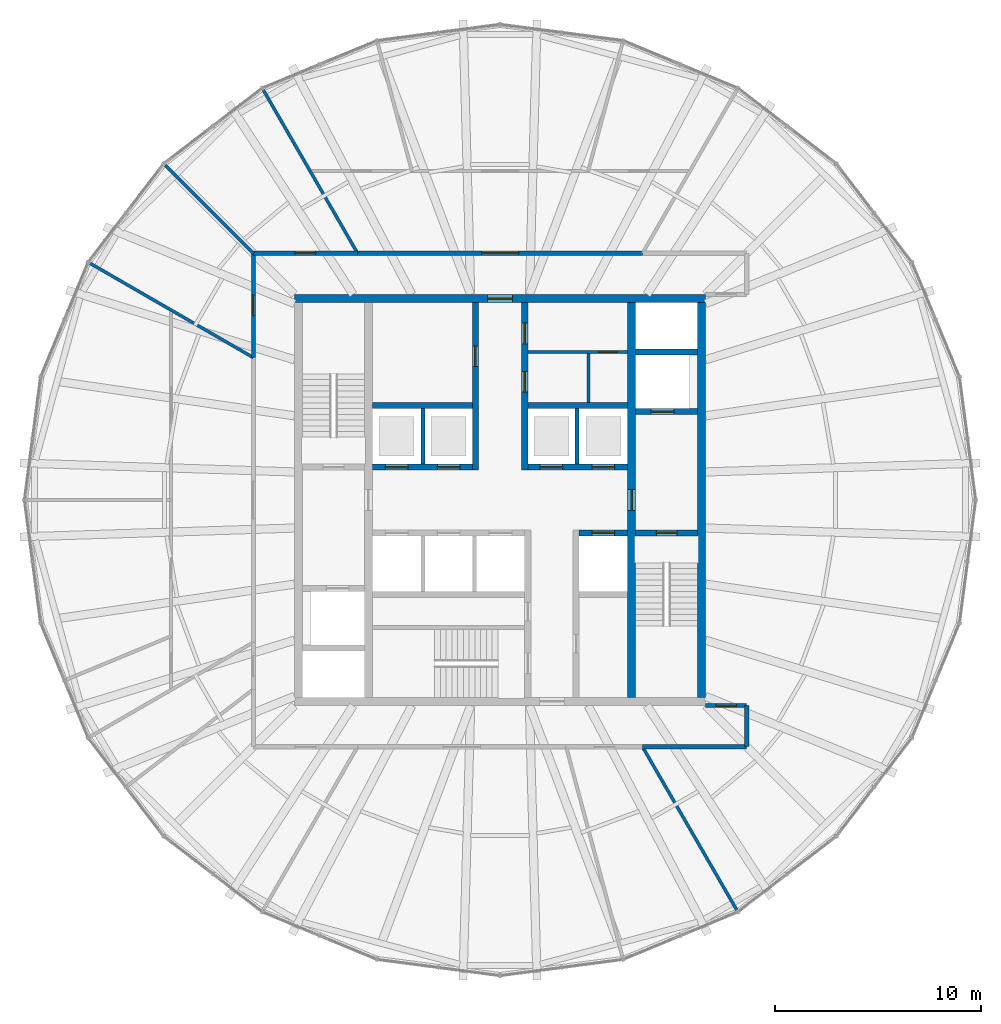
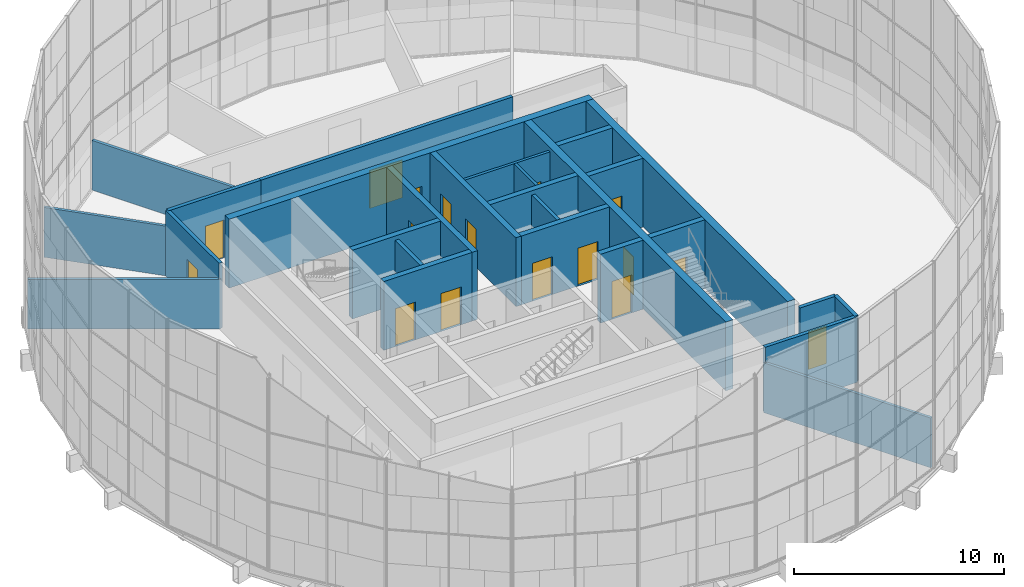
# One storey, part 20 of 23: 27 walls, 17 doors, 17 openings.
"""IFC4 building model written with IfcOpenShell, lengths in metres."""

from ifc_helpers import new_model, si_unit, direction, frame, frame_2d, origin, place, context, subcontext, project, spatial, rectangle, extrude, material, layer, layer_set, type_object, element, fill, save


model = new_model("IFC4")

# Units and contexts
model_context = context("Model", 3, precision=1e-05, world=origin(), true_north=direction((0.0, 1.0)))
body_context = subcontext(model_context, "Body", "Model", "MODEL_VIEW")
ifc_project = project(units=[si_unit("LENGTHUNIT", "METRE"), si_unit("AREAUNIT", "SQUARE_METRE"), si_unit("VOLUMEUNIT", "CUBIC_METRE"), si_unit("PLANEANGLEUNIT", "RADIAN"), si_unit("MASSUNIT", "GRAM", prefix="KILO")], contexts=[model_context])

# Site, building, storey
site_placement = place(None, origin())
site = spatial("IfcSite", under=ifc_project, at=site_placement, CompositionType="ELEMENT")
building_placement = place(site_placement, origin())
building = spatial("IfcBuilding", under=site, at=building_placement, Name="Golbaran Civic Tower", CompositionType="ELEMENT")
storey_placement = place(building_placement, frame((0.0, 0.0, 220.0)))
storey = spatial("IfcBuildingStorey", under=building, at=storey_placement, Name="L53", CompositionType="ELEMENT", Elevation=220.0)

# Wall, opening, door
ifc_material_1 = material(Name="Concrete block", Category="concrete")
ifc_layer_1 = layer(ifc_material_1, 0.14990234375, Name="Concrete block")
ifc_layer_set_1 = layer_set([ifc_layer_1], Name="Concrete block")
wall_type_1 = type_object("IfcWallType", Name="BLOCKWORK PARTITION 150", PredefinedType="PARTITIONING", material=ifc_layer_set_1)
wall_1_placement = place(storey_placement, frame((1.35009765625, 7.199951171875, 0.0), z_axis=(0.0, 0.0, 1.0), x_axis=(1.0, 0.0, 0.0)))
wall_1 = element("IfcWall", 1, at=wall_1_placement, inside=storey, type_object=wall_type_1, Name="Toilet block partition TN1 L53", PredefinedType="PARTITIONING", context=body_context, shape_type="SweptSolid", body=[
    extrude(rectangle(XDim=4.849853515625, YDim=0.14990234375, at=frame_2d((2.4248046875, 0.0))), origin(), (0.0, 0.0, 1.0), 3.75),
])
opening_1_placement = place(wall_1_placement, frame((3.449951171875, 0.0, 0.0)))
opening_1 = element("IfcOpeningElement", 2, at=opening_1_placement, cuts=wall_1, Name="Opening L53.CLN", PredefinedType="OPENING", context=body_context, shape_type="SweptSolid", body=[
    extrude(rectangle(XDim=0.89990234375, YDim=2.199951171875, at=frame_2d((0.449951171875, 1.10009765625))), frame((0.0, 0.0849609375, 0.0), z_axis=(0.0, -1.0, 0.0), x_axis=(1.0, 0.0, 0.0)), (0.0, 0.0, 1.0), 0.169921875),
])
ifc_material_2 = material(Name="Timber door set in steel frame", Category="steel")
door_type_1 = type_object("IfcDoorType", Name="RISER DOOR 900x2200", OperationType="SINGLE_SWING_LEFT", PredefinedType="DOOR", material=ifc_material_2)
door_1_placement = place(opening_1_placement, origin())
door_1 = element("IfcDoor", 3, at=door_1_placement, inside=storey, type_object=door_type_1, Name="Housekeeping Store door", OperationType="SINGLE_SWING_RIGHT", OverallHeight=2.199951171875, OverallWidth=0.89990234375, PredefinedType="DOOR", context=body_context, shape_type="SweptSolid", body=[
    extrude(rectangle(XDim=0.89990234375, YDim=2.199951171875, at=frame_2d((0.449951171875, 1.10009765625))), frame((0.0, 0.02490234375, 0.0), z_axis=(0.0, -1.0, 0.0), x_axis=(1.0, 0.0, 0.0)), (0.0, 0.0, 1.0), 0.050048828125),
])
fill(opening_1, door_1)

# Wall
wall_2_placement = place(storey_placement, frame((4.300048828125, 4.75, 0.0), z_axis=(0.0, 0.0, 1.0), x_axis=(0.0, 1.0, 0.0)))
element("IfcWall", 4, at=wall_2_placement, inside=storey, type_object=wall_type_1, Name="Toilet block partition TN2 L53", PredefinedType="PARTITIONING", context=body_context, shape_type="SweptSolid", body=[
    extrude(rectangle(XDim=2.375, YDim=0.14990234375, at=frame_2d((1.1875, 0.0))), origin(), (0.0, 0.0, 1.0), 3.75),
])

# Wall, opening, door
ifc_material_3 = material(Name="Concrete C50/60", Category="concrete")
ifc_layer_2 = layer(ifc_material_3, 0.39990234375, Name="Concrete C50/60")
ifc_layer_set_2 = layer_set([ifc_layer_2], Name="Concrete C50/60")
wall_type_2 = type_object("IfcWallType", Name="CORE WALL CONCRETE 400", PredefinedType="SOLIDWALL", material=ifc_layer_set_2)
wall_3_placement = place(storey_placement, frame((-10.0, 9.800048828125, 0.0), z_axis=(0.0, 0.0, 1.0), x_axis=(1.0, 0.0, 0.0)))
wall_3 = element("IfcWall", 5, at=wall_3_placement, inside=storey, type_object=wall_type_2, Name="Core wall CN L53", PredefinedType="SOLIDWALL", context=body_context, shape_type="SweptSolid", body=[
    extrude(rectangle(XDim=20.0, YDim=0.39990234375, at=frame_2d((10.0, 0.0))), origin(), (0.0, 0.0, 1.0), 4.0),
])
opening_2_placement = place(wall_3_placement, frame((9.39990234375, 0.0, 0.0)))
opening_2 = element("IfcOpeningElement", 6, at=opening_2_placement, cuts=wall_3, Name="Opening L53.CN", PredefinedType="OPENING", context=body_context, shape_type="SweptSolid", body=[
    extrude(rectangle(XDim=1.199951171875, YDim=2.199951171875, at=frame_2d((0.60009765625, 1.10009765625))), frame((0.0, 0.2099609375, 0.0), z_axis=(0.0, -1.0, 0.0), x_axis=(1.0, 0.0, 0.0)), (0.0, 0.0, 1.0), 0.419921875),
])
door_type_2 = type_object("IfcDoorType", Name="CORE DOOR 1200x2200", OperationType="DOUBLE_DOOR_SINGLE_SWING", PredefinedType="DOOR", material=ifc_material_2)
door_2_placement = place(opening_2_placement, origin())
door_2 = element("IfcDoor", 7, at=door_2_placement, inside=storey, type_object=door_type_2, Name="Core door north", OperationType="DOUBLE_DOOR_SINGLE_SWING", OverallHeight=2.199951171875, OverallWidth=1.199951171875, PredefinedType="DOOR", context=body_context, shape_type="SweptSolid", body=[
    extrude(rectangle(XDim=1.199951171875, YDim=2.199951171875, at=frame_2d((0.60009765625, 1.10009765625))), frame((0.0, 0.02490234375, 0.0), z_axis=(0.0, -1.0, 0.0), x_axis=(1.0, 0.0, 0.0)), (0.0, 0.0, 1.0), 0.050048828125),
])
fill(opening_2, door_2)

# Wall
wall_4_placement = place(storey_placement, frame((9.800048828125, -9.60009765625, 0.0), z_axis=(0.0, 0.0, 1.0), x_axis=(0.0, 1.0, 0.0)))
element("IfcWall", 8, at=wall_4_placement, inside=storey, type_object=wall_type_2, Name="Core wall CE L53", PredefinedType="SOLIDWALL", context=body_context, shape_type="SweptSolid", body=[
    extrude(rectangle(XDim=19.2001953125, YDim=0.39990234375, at=frame_2d((9.60009765625, 0.0))), origin(), (0.0, 0.0, 1.0), 4.0),
])

# Wall, opening, door
wall_5_placement = place(storey_placement, frame((6.39990234375, 9.60009765625, 0.0), z_axis=(0.0, 0.0, 1.0), x_axis=(0.0, -1.0, 0.0)))
wall_5 = element("IfcWall", 9, at=wall_5_placement, inside=storey, type_object=wall_type_2, Name="Core wall IE L53", PredefinedType="SOLIDWALL", context=body_context, shape_type="SweptSolid", body=[
    extrude(rectangle(XDim=19.2001953125, YDim=0.39990234375, at=frame_2d((9.60009765625, 0.0))), origin(), (0.0, 0.0, 1.0), 4.0),
])
opening_3_placement = place(wall_5_placement, frame((9.10009765625, 0.0, 0.0)))
opening_3 = element("IfcOpeningElement", 10, at=opening_3_placement, cuts=wall_5, Name="Opening L53.FL2", PredefinedType="OPENING", context=body_context, shape_type="SweptSolid", body=[
    extrude(rectangle(XDim=1.0, YDim=2.199951171875, at=frame_2d((0.5, 1.10009765625))), frame((0.0, 0.2099609375, 0.0), z_axis=(0.0, -1.0, 0.0), x_axis=(1.0, 0.0, 0.0)), (0.0, 0.0, 1.0), 0.419921875),
])
door_type_3 = type_object("IfcDoorType", Name="STAIR DOOR 1000x2200", OperationType="SINGLE_SWING_LEFT", PredefinedType="DOOR", material=ifc_material_2)
door_3_placement = place(opening_3_placement, origin())
door_3 = element("IfcDoor", 11, at=door_3_placement, inside=storey, type_object=door_type_3, Name="Fire-fighting lobby FL2 door", OperationType="SINGLE_SWING_RIGHT", OverallHeight=2.199951171875, OverallWidth=1.0, PredefinedType="DOOR", context=body_context, shape_type="SweptSolid", body=[
    extrude(rectangle(XDim=1.0, YDim=2.199951171875, at=frame_2d((0.5, 1.10009765625))), frame((0.0, 0.02490234375, 0.0), z_axis=(0.0, -1.0, 0.0), x_axis=(1.0, 0.0, 0.0)), (0.0, 0.0, 1.0), 0.050048828125),
])
fill(opening_3, door_3)

ifc_material_4 = material(Name="Gypsum board on steel studs, fire-rated", Category="steel")
ifc_layer_3 = layer(ifc_material_4, 0.199951171875, Name="Gypsum board on steel studs, fire-rated")
ifc_layer_set_3 = layer_set([ifc_layer_3], Name="Gypsum board on steel studs, fire-rated")
wall_type_3 = type_object("IfcWallType", Name="CORRIDOR WALL 200", PredefinedType="PARTITIONING", material=ifc_layer_set_3)
wall_6_placement = place(storey_placement, frame((6.92822265625, 12.0, 0.0), z_axis=(0.0, 0.0, 1.0), x_axis=(-1.0, 0.0, 0.0)))
wall_6 = element("IfcWall", 12, at=wall_6_placement, inside=storey, type_object=wall_type_3, Name="Corridor wall L53", PredefinedType="PARTITIONING", context=body_context, shape_type="SweptSolid", body=[
    extrude(rectangle(XDim=13.8564453125, YDim=0.199951171875, at=frame_2d((6.92822265625, 0.0))), origin(), (0.0, 0.0, 1.0), 3.800048828125),
])
opening_4_placement = place(wall_6_placement, frame((6.0283203125, 0.0, 0.0)))
opening_4 = element("IfcOpeningElement", 13, at=opening_4_placement, cuts=wall_6, Name="Opening L53.07", PredefinedType="OPENING", context=body_context, shape_type="SweptSolid", body=[
    extrude(rectangle(XDim=1.800048828125, YDim=2.199951171875, at=frame_2d((0.89990234375, 1.10009765625))), frame((0.0, 0.10986328125, 0.0), z_axis=(0.0, -1.0, 0.0), x_axis=(1.0, 0.0, 0.0)), (0.0, 0.0, 1.0), 0.219970703125),
])
door_type_4 = type_object("IfcDoorType", Name="OFFICE DOUBLE DOOR 1800x2200", OperationType="DOUBLE_DOOR_SINGLE_SWING", PredefinedType="DOOR", material=ifc_material_2)
door_4_placement = place(opening_4_placement, origin())
door_4 = element("IfcDoor", 14, at=door_4_placement, inside=storey, type_object=door_type_4, Name="Reception door L53", OperationType="DOUBLE_DOOR_SINGLE_SWING", OverallHeight=2.199951171875, OverallWidth=1.800048828125, PredefinedType="DOOR", context=body_context, shape_type="SweptSolid", body=[
    extrude(rectangle(XDim=1.800048828125, YDim=2.199951171875, at=frame_2d((0.89990234375, 1.10009765625))), frame((0.0, 0.02490234375, 0.0), z_axis=(0.0, -1.0, 0.0), x_axis=(1.0, 0.0, 0.0)), (0.0, 0.0, 1.0), 0.050048828125),
])
fill(opening_4, door_4)

wall_7_placement = place(storey_placement, frame((-6.92822265625, 12.0, 0.0), z_axis=(0.0, 0.0, 1.0), x_axis=(-1.0, 0.0, 0.0)))
wall_7 = element("IfcWall", 15, at=wall_7_placement, inside=storey, type_object=wall_type_3, Name="Corridor wall L53", PredefinedType="PARTITIONING", context=body_context, shape_type="SweptSolid", body=[
    extrude(rectangle(XDim=5.07177734375, YDim=0.199951171875, at=frame_2d((2.535888671875, 0.0))), origin(), (0.0, 0.0, 1.0), 3.800048828125),
])
opening_5_placement = place(wall_7_placement, frame((2.035888671875, 0.0, 0.0)))
opening_5 = element("IfcOpeningElement", 16, at=opening_5_placement, cuts=wall_7, Name="Opening L53.08", PredefinedType="OPENING", context=body_context, shape_type="SweptSolid", body=[
    extrude(rectangle(XDim=1.0, YDim=2.199951171875, at=frame_2d((0.5, 1.10009765625))), frame((0.0, 0.10986328125, 0.0), z_axis=(0.0, -1.0, 0.0), x_axis=(1.0, 0.0, 0.0)), (0.0, 0.0, 1.0), 0.219970703125),
])
door_type_5 = type_object("IfcDoorType", Name="OFFICE DOOR 1000x2200", OperationType="SINGLE_SWING_LEFT", PredefinedType="DOOR", material=ifc_material_2)
door_5_placement = place(opening_5_placement, origin())
door_5 = element("IfcDoor", 17, at=door_5_placement, inside=storey, type_object=door_type_5, Name="Interview Room door L53", OperationType="SINGLE_SWING_RIGHT", OverallHeight=2.199951171875, OverallWidth=1.0, PredefinedType="DOOR", context=body_context, shape_type="SweptSolid", body=[
    extrude(rectangle(XDim=1.0, YDim=2.199951171875, at=frame_2d((0.5, 1.10009765625))), frame((0.0, 0.02490234375, 0.0), z_axis=(0.0, -1.0, 0.0), x_axis=(1.0, 0.0, 0.0)), (0.0, 0.0, 1.0), 0.050048828125),
])
fill(opening_5, door_5)

wall_8_placement = place(storey_placement, frame((-12.0, 12.0, 0.0), z_axis=(0.0, 0.0, 1.0), x_axis=(0.0, -1.0, 0.0)))
wall_8 = element("IfcWall", 18, at=wall_8_placement, inside=storey, type_object=wall_type_3, Name="Corridor wall L53", PredefinedType="PARTITIONING", context=body_context, shape_type="SweptSolid", body=[
    extrude(rectangle(XDim=5.07177734375, YDim=0.199951171875, at=frame_2d((2.535888671875, 0.0))), origin(), (0.0, 0.0, 1.0), 3.800048828125),
])
opening_6_placement = place(wall_8_placement, frame((2.035888671875, 0.0, 0.0)))
opening_6 = element("IfcOpeningElement", 19, at=opening_6_placement, cuts=wall_8, Name="Opening L53.09", PredefinedType="OPENING", context=body_context, shape_type="SweptSolid", body=[
    extrude(rectangle(XDim=1.0, YDim=2.199951171875, at=frame_2d((0.5, 1.10009765625))), frame((0.0, 0.10986328125, 0.0), z_axis=(0.0, -1.0, 0.0), x_axis=(1.0, 0.0, 0.0)), (0.0, 0.0, 1.0), 0.219970703125),
])
door_6_placement = place(opening_6_placement, origin())
door_6 = element("IfcDoor", 20, at=door_6_placement, inside=storey, type_object=door_type_5, Name="Print and Copy Room door L53", OperationType="SINGLE_SWING_RIGHT", OverallHeight=2.199951171875, OverallWidth=1.0, PredefinedType="DOOR", context=body_context, shape_type="SweptSolid", body=[
    extrude(rectangle(XDim=1.0, YDim=2.199951171875, at=frame_2d((0.5, 1.10009765625))), frame((0.0, 0.02490234375, 0.0), z_axis=(0.0, -1.0, 0.0), x_axis=(1.0, 0.0, 0.0)), (0.0, 0.0, 1.0), 0.050048828125),
])
fill(opening_6, door_6)

# Walls
wall_9_placement = place(storey_placement, frame((6.92822265625, -12.0, 0.0), z_axis=(0.0, 0.0, 1.0), x_axis=(1.0, 0.0, 0.0)))
element("IfcWall", 21, at=wall_9_placement, inside=storey, type_object=wall_type_3, Name="Corridor wall L53", PredefinedType="PARTITIONING", context=body_context, shape_type="SweptSolid", body=[
    extrude(rectangle(XDim=5.07177734375, YDim=0.199951171875, at=frame_2d((2.535888671875, 0.0))), origin(), (0.0, 0.0, 1.0), 3.800048828125),
])
wall_10_placement = place(storey_placement, frame((12.0, -12.0, 0.0), z_axis=(0.0, 0.0, 1.0), x_axis=(0.0, 1.0, 0.0)))
element("IfcWall", 22, at=wall_10_placement, inside=storey, type_object=wall_type_3, Name="Corridor wall L53", PredefinedType="PARTITIONING", context=body_context, shape_type="SweptSolid", body=[
    extrude(rectangle(XDim=2.0, YDim=0.199951171875, at=frame_2d((1.0, 0.0))), origin(), (0.0, 0.0, 1.0), 3.800048828125),
])

# Wall, opening, door
wall_11_placement = place(storey_placement, frame((10.0, -10.0, 0.0), z_axis=(0.0, 0.0, 1.0), x_axis=(1.0, 0.0, 0.0)))
wall_11 = element("IfcWall", 23, at=wall_11_placement, inside=storey, type_object=wall_type_3, Name="Corridor end wall L53", PredefinedType="PARTITIONING", context=body_context, shape_type="SweptSolid", body=[
    extrude(rectangle(XDim=2.0, YDim=0.199951171875, at=frame_2d((1.0, 0.0))), origin(), (0.0, 0.0, 1.0), 3.800048828125),
])
opening_7_placement = place(wall_11_placement, frame((0.5, 0.0, 0.0)))
opening_7 = element("IfcOpeningElement", 24, at=opening_7_placement, cuts=wall_11, Name="Opening L53.16", PredefinedType="OPENING", context=body_context, shape_type="SweptSolid", body=[
    extrude(rectangle(XDim=1.0, YDim=2.199951171875, at=frame_2d((0.5, 1.10009765625))), frame((0.0, 0.10986328125, 0.0), z_axis=(0.0, -1.0, 0.0), x_axis=(1.0, 0.0, 0.0)), (0.0, 0.0, 1.0), 0.219970703125),
])
door_7_placement = place(opening_7_placement, origin())
door_7 = element("IfcDoor", 25, at=door_7_placement, inside=storey, type_object=door_type_5, Name="Open Office door L53", OperationType="SINGLE_SWING_LEFT", OverallHeight=2.199951171875, OverallWidth=1.0, PredefinedType="DOOR", context=body_context, shape_type="SweptSolid", body=[
    extrude(rectangle(XDim=1.0, YDim=2.199951171875, at=frame_2d((0.5, 1.10009765625))), frame((0.0, 0.02490234375, 0.0), z_axis=(0.0, -1.0, 0.0), x_axis=(1.0, 0.0, 0.0)), (0.0, 0.0, 1.0), 0.050048828125),
])
fill(opening_7, door_7)

# Walls
ifc_layer_4 = layer(ifc_material_1, 0.199951171875, Name="Concrete block")
ifc_layer_set_4 = layer_set([ifc_layer_4], Name="Concrete block")
wall_type_4 = type_object("IfcWallType", Name="LIFT SEPARATOR WALL 200", PredefinedType="SOLIDWALL", material=ifc_layer_set_4)
for number, where, z_axis, x_axis, name in (
    (26, (-3.75, 1.75, 0.0), (0.0, 0.0, 1.0), (0.0, 1.0, 0.0), "Core partition SNW L53"),
    (27, (3.75, 1.75, 0.0), (0.0, 0.0, 1.0), (0.0, 1.0, 0.0), "Core partition SNE L53"),
):
    element("IfcWall", number, at=place(storey_placement, frame(where, z_axis=z_axis, x_axis=x_axis)), inside=storey, type_object=wall_type_4, Name=name, PredefinedType="SOLIDWALL", context=body_context, shape_type="SweptSolid", body=[
        extrude(rectangle(XDim=2.699951171875, YDim=0.199951171875, at=frame_2d((1.35009765625, 0.0))), origin(), (0.0, 0.0, 1.0), 3.75),
    ])
ifc_material_5 = material(Name="Gypsum board on steel studs", Category="steel")
ifc_layer_5 = layer(ifc_material_5, 0.14990234375, Name="Gypsum board on steel studs")
ifc_layer_set_5 = layer_set([ifc_layer_5], Name="Gypsum board on steel studs")
wall_type_5 = type_object("IfcWallType", Name="OFFICE PARTITION 150", PredefinedType="PARTITIONING", material=ifc_layer_set_5)
wall_12_placement = place(storey_placement, frame((-6.92822265625, 12.0, 0.0), z_axis=(0.0, 0.0, 1.0), x_axis=(-0.500006167237, 0.866021843099, 0.0)))
element("IfcWall", 28, at=wall_12_placement, inside=storey, type_object=wall_type_5, Name="Partition 120 L53", PredefinedType="PARTITIONING", context=body_context, shape_type="SweptSolid", body=[
    extrude(rectangle(XDim=9.18701171875, YDim=0.14990234375, at=frame_2d((4.593505859375, 0.0))), origin(), (0.0, 0.0, 1.0), 2.889892578125),
])
wall_13_placement = place(storey_placement, frame((-12.0, 12.0, 0.0), z_axis=(0.0, 0.0, 1.0), x_axis=(-0.707106781187, 0.707106781187, 0.0)))
element("IfcWall", 29, at=wall_13_placement, inside=storey, type_object=wall_type_5, Name="Partition 135 L53", PredefinedType="PARTITIONING", context=body_context, shape_type="SweptSolid", body=[
    extrude(rectangle(XDim=6.072509765625, YDim=0.14990234375, at=frame_2d((3.0361328125, 0.0))), origin(), (0.0, 0.0, 1.0), 2.889892578125),
])
for number, where, z_axis, x_axis, name in (
    (30, (-12.0, 6.92822265625, 0.0), (0.0, 0.0, 1.0), (-0.866021843099, 0.500006167237, 0.0), "Partition 150 L53"),
    (31, (6.92822265625, -12.0, 0.0), (0.0, 0.0, 1.0), (0.500006167237, -0.866021843099, 0.0), "Partition 300 L53"),
):
    element("IfcWall", number, at=place(storey_placement, frame(where, z_axis=z_axis, x_axis=x_axis)), inside=storey, type_object=wall_type_5, Name=name, PredefinedType="PARTITIONING", context=body_context, shape_type="SweptSolid", body=[
        extrude(rectangle(XDim=9.18701171875, YDim=0.14990234375, at=frame_2d((4.593505859375, 0.0))), origin(), (0.0, 0.0, 1.0), 2.889892578125),
    ])

# Wall, openings, doors
ifc_layer_6 = layer(ifc_material_3, 0.300048828125, Name="Concrete C50/60")
ifc_layer_set_6 = layer_set([ifc_layer_6], Name="Concrete C50/60")
wall_type_6 = type_object("IfcWallType", Name="SHAFT WALL CONCRETE 300", PredefinedType="SOLIDWALL", material=ifc_layer_set_6)
wall_14_placement = place(storey_placement, frame((-6.199951171875, 1.60009765625, 0.0), z_axis=(0.0, 0.0, 1.0), x_axis=(1.0, 0.0, 0.0)))
wall_14 = element("IfcWall", 32, at=wall_14_placement, inside=storey, type_object=wall_type_6, Name="Core wall FNW L53", PredefinedType="SOLIDWALL", context=body_context, shape_type="SweptSolid", body=[
    extrude(rectangle(XDim=4.849853515625, YDim=0.300048828125, at=frame_2d((2.4248046875, 0.0))), origin(), (0.0, 0.0, 1.0), 4.0),
])
opening_8_placement = place(wall_14_placement, frame((0.625, 0.0, 0.0)))
opening_8 = element("IfcOpeningElement", 33, at=opening_8_placement, cuts=wall_14, Name="Opening L53.LD-Z1T", PredefinedType="OPENING", context=body_context, shape_type="SweptSolid", body=[
    extrude(rectangle(XDim=1.10009765625, YDim=2.199951171875, at=frame_2d((0.550048828125, 1.10009765625))), frame((0.0, 0.159912109375, 0.0), z_axis=(0.0, -1.0, 0.0), x_axis=(1.0, 0.0, 0.0)), (0.0, 0.0, 1.0), 0.320068359375),
])
opening_9_placement = place(wall_14_placement, frame((3.14990234375, 0.0, 0.0)))
opening_9 = element("IfcOpeningElement", 34, at=opening_9_placement, cuts=wall_14, Name="Opening L53.LD-Z2T", PredefinedType="OPENING", context=body_context, shape_type="SweptSolid", body=[
    extrude(rectangle(XDim=1.10009765625, YDim=2.199951171875, at=frame_2d((0.550048828125, 1.10009765625))), frame((0.0, 0.159912109375, 0.0), z_axis=(0.0, -1.0, 0.0), x_axis=(1.0, 0.0, 0.0)), (0.0, 0.0, 1.0), 0.320068359375),
])
ifc_material_6 = material(Name="Stainless steel", Category="steel")
door_type_6 = type_object("IfcDoorType", Name="LIFT LANDING DOOR 1100x2200", OperationType="SLIDING_TO_LEFT", PredefinedType="DOOR", material=ifc_material_6)
door_8_placement = place(opening_8_placement, origin())
door_8 = element("IfcDoor", 35, at=door_8_placement, inside=storey, type_object=door_type_6, Name="Lift landing door Z1T", OperationType="SLIDING_TO_LEFT", OverallHeight=2.199951171875, OverallWidth=1.10009765625, PredefinedType="DOOR", context=body_context, shape_type="SweptSolid", body=[
    extrude(rectangle(XDim=1.10009765625, YDim=2.199951171875, at=frame_2d((0.550048828125, 1.10009765625))), frame((0.0, 0.02490234375, 0.0), z_axis=(0.0, -1.0, 0.0), x_axis=(1.0, 0.0, 0.0)), (0.0, 0.0, 1.0), 0.050048828125),
])
fill(opening_8, door_8)
door_9_placement = place(opening_9_placement, origin())
door_9 = element("IfcDoor", 36, at=door_9_placement, inside=storey, type_object=door_type_6, Name="Lift landing door Z2T", OperationType="SLIDING_TO_LEFT", OverallHeight=2.199951171875, OverallWidth=1.10009765625, PredefinedType="DOOR", context=body_context, shape_type="SweptSolid", body=[
    extrude(rectangle(XDim=1.10009765625, YDim=2.199951171875, at=frame_2d((0.550048828125, 1.10009765625))), frame((0.0, 0.02490234375, 0.0), z_axis=(0.0, -1.0, 0.0), x_axis=(1.0, 0.0, 0.0)), (0.0, 0.0, 1.0), 0.050048828125),
])
fill(opening_9, door_9)

wall_15_placement = place(storey_placement, frame((1.35009765625, 1.60009765625, 0.0), z_axis=(0.0, 0.0, 1.0), x_axis=(1.0, 0.0, 0.0)))
wall_15 = element("IfcWall", 37, at=wall_15_placement, inside=storey, type_object=wall_type_6, Name="Core wall FNE L53", PredefinedType="SOLIDWALL", context=body_context, shape_type="SweptSolid", body=[
    extrude(rectangle(XDim=4.849853515625, YDim=0.300048828125, at=frame_2d((2.4248046875, 0.0))), origin(), (0.0, 0.0, 1.0), 4.0),
])
opening_10_placement = place(wall_15_placement, frame((0.60009765625, 0.0, 0.0)))
opening_10 = element("IfcOpeningElement", 38, at=opening_10_placement, cuts=wall_15, Name="Opening L53.LD-Z3T", PredefinedType="OPENING", context=body_context, shape_type="SweptSolid", body=[
    extrude(rectangle(XDim=1.10009765625, YDim=2.199951171875, at=frame_2d((0.550048828125, 1.10009765625))), frame((0.0, 0.159912109375, 0.0), z_axis=(0.0, -1.0, 0.0), x_axis=(1.0, 0.0, 0.0)), (0.0, 0.0, 1.0), 0.320068359375),
])
opening_11_placement = place(wall_15_placement, frame((3.125, 0.0, 0.0)))
opening_11 = element("IfcOpeningElement", 39, at=opening_11_placement, cuts=wall_15, Name="Opening L53.LD-Z4T", PredefinedType="OPENING", context=body_context, shape_type="SweptSolid", body=[
    extrude(rectangle(XDim=1.10009765625, YDim=2.199951171875, at=frame_2d((0.550048828125, 1.10009765625))), frame((0.0, 0.159912109375, 0.0), z_axis=(0.0, -1.0, 0.0), x_axis=(1.0, 0.0, 0.0)), (0.0, 0.0, 1.0), 0.320068359375),
])
door_10_placement = place(opening_10_placement, origin())
door_10 = element("IfcDoor", 40, at=door_10_placement, inside=storey, type_object=door_type_6, Name="Lift landing door Z3T", OperationType="SLIDING_TO_LEFT", OverallHeight=2.199951171875, OverallWidth=1.10009765625, PredefinedType="DOOR", context=body_context, shape_type="SweptSolid", body=[
    extrude(rectangle(XDim=1.10009765625, YDim=2.199951171875, at=frame_2d((0.550048828125, 1.10009765625))), frame((0.0, 0.02490234375, 0.0), z_axis=(0.0, -1.0, 0.0), x_axis=(1.0, 0.0, 0.0)), (0.0, 0.0, 1.0), 0.050048828125),
])
fill(opening_10, door_10)
door_11_placement = place(opening_11_placement, origin())
door_11 = element("IfcDoor", 41, at=door_11_placement, inside=storey, type_object=door_type_6, Name="Lift landing door Z4T", OperationType="SLIDING_TO_LEFT", OverallHeight=2.199951171875, OverallWidth=1.10009765625, PredefinedType="DOOR", context=body_context, shape_type="SweptSolid", body=[
    extrude(rectangle(XDim=1.10009765625, YDim=2.199951171875, at=frame_2d((0.550048828125, 1.10009765625))), frame((0.0, 0.02490234375, 0.0), z_axis=(0.0, -1.0, 0.0), x_axis=(1.0, 0.0, 0.0)), (0.0, 0.0, 1.0), 0.050048828125),
])
fill(opening_11, door_11)

# Walls
for number, where, z_axis, x_axis, name in (
    (42, (-6.199951171875, 4.60009765625, 0.0), (0.0, 0.0, 1.0), (1.0, 0.0, 0.0), "Core wall BNW L53"),
    (43, (1.35009765625, 4.60009765625, 0.0), (0.0, 0.0, 1.0), (1.0, 0.0, 0.0), "Core wall BNE L53"),
):
    element("IfcWall", number, at=place(storey_placement, frame(where, z_axis=z_axis, x_axis=x_axis)), inside=storey, type_object=wall_type_6, Name=name, PredefinedType="SOLIDWALL", context=body_context, shape_type="SweptSolid", body=[
        extrude(rectangle(XDim=4.849853515625, YDim=0.300048828125, at=frame_2d((2.4248046875, 0.0))), origin(), (0.0, 0.0, 1.0), 4.0),
    ])

# Wall, opening, door
wall_16_placement = place(storey_placement, frame((-1.199951171875, 1.449951171875, 0.0), z_axis=(0.0, 0.0, 1.0), x_axis=(0.0, 1.0, 0.0)))
wall_16 = element("IfcWall", 44, at=wall_16_placement, inside=storey, type_object=wall_type_6, Name="Core wall PNW L53", PredefinedType="SOLIDWALL", context=body_context, shape_type="SweptSolid", body=[
    extrude(rectangle(XDim=8.150146484375, YDim=0.300048828125, at=frame_2d((4.0751953125, 0.0))), origin(), (0.0, 0.0, 1.0), 4.0),
])
opening_12_placement = place(wall_16_placement, frame((5.050048828125, 0.0, 0.0)))
opening_12 = element("IfcOpeningElement", 45, at=opening_12_placement, cuts=wall_16, Name="Opening L53.WCM", PredefinedType="OPENING", context=body_context, shape_type="SweptSolid", body=[
    extrude(rectangle(XDim=1.0, YDim=2.199951171875, at=frame_2d((0.5, 1.10009765625))), frame((0.0, 0.159912109375, 0.0), z_axis=(0.0, -1.0, 0.0), x_axis=(1.0, 0.0, 0.0)), (0.0, 0.0, 1.0), 0.320068359375),
])
door_type_7 = type_object("IfcDoorType", Name="TOILET DOOR 1000x2200", OperationType="SINGLE_SWING_LEFT", PredefinedType="DOOR", material=ifc_material_2)
door_12_placement = place(opening_12_placement, origin())
door_12 = element("IfcDoor", 46, at=door_12_placement, inside=storey, type_object=door_type_7, Name="North-west toilet block door", OperationType="SINGLE_SWING_RIGHT", OverallHeight=2.199951171875, OverallWidth=1.0, PredefinedType="DOOR", context=body_context, shape_type="SweptSolid", body=[
    extrude(rectangle(XDim=1.0, YDim=2.199951171875, at=frame_2d((0.5, 1.10009765625))), frame((0.0, 0.02490234375, 0.0), z_axis=(0.0, -1.0, 0.0), x_axis=(1.0, 0.0, 0.0)), (0.0, 0.0, 1.0), 0.050048828125),
])
fill(opening_12, door_12)

# Wall, openings, doors
wall_17_placement = place(storey_placement, frame((1.199951171875, 1.449951171875, 0.0), z_axis=(0.0, 0.0, 1.0), x_axis=(0.0, 1.0, 0.0)))
wall_17 = element("IfcWall", 47, at=wall_17_placement, inside=storey, type_object=wall_type_6, Name="Core wall PNE L53", PredefinedType="SOLIDWALL", context=body_context, shape_type="SweptSolid", body=[
    extrude(rectangle(XDim=8.150146484375, YDim=0.300048828125, at=frame_2d((4.0751953125, 0.0))), origin(), (0.0, 0.0, 1.0), 4.0),
])
opening_13_placement = place(wall_17_placement, frame((3.800048828125, 0.0, 0.0)))
opening_13 = element("IfcOpeningElement", 48, at=opening_13_placement, cuts=wall_17, Name="Opening L53.WCA", PredefinedType="OPENING", context=body_context, shape_type="SweptSolid", body=[
    extrude(rectangle(XDim=1.0, YDim=2.199951171875, at=frame_2d((0.5, 1.10009765625))), frame((0.0, 0.159912109375, 0.0), z_axis=(0.0, -1.0, 0.0), x_axis=(1.0, 0.0, 0.0)), (0.0, 0.0, 1.0), 0.320068359375),
])
opening_14_placement = place(wall_17_placement, frame((6.14990234375, 0.0, 0.0)))
opening_14 = element("IfcOpeningElement", 49, at=opening_14_placement, cuts=wall_17, Name="Opening L53.WCF", PredefinedType="OPENING", context=body_context, shape_type="SweptSolid", body=[
    extrude(rectangle(XDim=1.0, YDim=2.199951171875, at=frame_2d((0.5, 1.10009765625))), frame((0.0, 0.159912109375, 0.0), z_axis=(0.0, -1.0, 0.0), x_axis=(1.0, 0.0, 0.0)), (0.0, 0.0, 1.0), 0.320068359375),
])
door_13_placement = place(opening_13_placement, origin())
door_13 = element("IfcDoor", 50, at=door_13_placement, inside=storey, type_object=door_type_7, Name="Accessible WC door", OperationType="SINGLE_SWING_RIGHT", OverallHeight=2.199951171875, OverallWidth=1.0, PredefinedType="DOOR", context=body_context, shape_type="SweptSolid", body=[
    extrude(rectangle(XDim=1.0, YDim=2.199951171875, at=frame_2d((0.5, 1.10009765625))), frame((0.0, 0.02490234375, 0.0), z_axis=(0.0, -1.0, 0.0), x_axis=(1.0, 0.0, 0.0)), (0.0, 0.0, 1.0), 0.050048828125),
])
fill(opening_13, door_13)
door_14_placement = place(opening_14_placement, origin())
door_14 = element("IfcDoor", 51, at=door_14_placement, inside=storey, type_object=door_type_7, Name="North-east toilet block door", OperationType="SINGLE_SWING_RIGHT", OverallHeight=2.199951171875, OverallWidth=1.0, PredefinedType="DOOR", context=body_context, shape_type="SweptSolid", body=[
    extrude(rectangle(XDim=1.0, YDim=2.199951171875, at=frame_2d((0.5, 1.10009765625))), frame((0.0, 0.02490234375, 0.0), z_axis=(0.0, -1.0, 0.0), x_axis=(1.0, 0.0, 0.0)), (0.0, 0.0, 1.0), 0.050048828125),
])
fill(opening_14, door_14)

# Wall, opening, door
wall_18_placement = place(storey_placement, frame((3.85009765625, -1.60009765625, 0.0), z_axis=(0.0, 0.0, 1.0), x_axis=(1.0, 0.0, 0.0)))
wall_18 = element("IfcWall", 52, at=wall_18_placement, inside=storey, type_object=wall_type_6, Name="Core wall FSE L53", PredefinedType="SOLIDWALL", context=body_context, shape_type="SweptSolid", body=[
    extrude(rectangle(XDim=2.349853515625, YDim=0.300048828125, at=frame_2d((1.1748046875, 0.0))), origin(), (0.0, 0.0, 1.0), 4.0),
])
opening_15_placement = place(wall_18_placement, frame((0.625, 0.0, 0.0)))
opening_15 = element("IfcOpeningElement", 53, at=opening_15_placement, cuts=wall_18, Name="Opening L53.LD-V1", PredefinedType="OPENING", context=body_context, shape_type="SweptSolid", body=[
    extrude(rectangle(XDim=1.10009765625, YDim=2.199951171875, at=frame_2d((0.550048828125, 1.10009765625))), frame((0.0, 0.159912109375, 0.0), z_axis=(0.0, -1.0, 0.0), x_axis=(1.0, 0.0, 0.0)), (0.0, 0.0, 1.0), 0.320068359375),
])
door_15_placement = place(opening_15_placement, origin())
door_15 = element("IfcDoor", 54, at=door_15_placement, inside=storey, type_object=door_type_6, Name="Lift landing door V1", OperationType="SLIDING_TO_LEFT", OverallHeight=2.199951171875, OverallWidth=1.10009765625, PredefinedType="DOOR", context=body_context, shape_type="SweptSolid", body=[
    extrude(rectangle(XDim=1.10009765625, YDim=2.199951171875, at=frame_2d((0.550048828125, 1.10009765625))), frame((0.0, 0.02490234375, 0.0), z_axis=(0.0, -1.0, 0.0), x_axis=(1.0, 0.0, 0.0)), (0.0, 0.0, 1.0), 0.050048828125),
])
fill(opening_15, door_15)

wall_19_placement = place(storey_placement, frame((6.60009765625, -1.60009765625, 0.0), z_axis=(0.0, 0.0, 1.0), x_axis=(1.0, 0.0, 0.0)))
wall_19 = element("IfcWall", 55, at=wall_19_placement, inside=storey, type_object=wall_type_6, Name="Core wall XE1 L53", PredefinedType="SOLIDWALL", context=body_context, shape_type="SweptSolid", body=[
    extrude(rectangle(XDim=3.0, YDim=0.300048828125, at=frame_2d((1.5, 0.0))), origin(), (0.0, 0.0, 1.0), 4.0),
])
opening_16_placement = place(wall_19_placement, frame((1.0, 0.0, 0.0)))
opening_16 = element("IfcOpeningElement", 56, at=opening_16_placement, cuts=wall_19, Name="Opening L53.S2", PredefinedType="OPENING", context=body_context, shape_type="SweptSolid", body=[
    extrude(rectangle(XDim=1.0, YDim=2.199951171875, at=frame_2d((0.5, 1.10009765625))), frame((0.0, 0.159912109375, 0.0), z_axis=(0.0, -1.0, 0.0), x_axis=(1.0, 0.0, 0.0)), (0.0, 0.0, 1.0), 0.320068359375),
])
door_16_placement = place(opening_16_placement, origin())
door_16 = element("IfcDoor", 57, at=door_16_placement, inside=storey, type_object=door_type_3, Name="Stair S2 door", OperationType="SINGLE_SWING_LEFT", OverallHeight=2.199951171875, OverallWidth=1.0, PredefinedType="DOOR", context=body_context, shape_type="SweptSolid", body=[
    extrude(rectangle(XDim=1.0, YDim=2.199951171875, at=frame_2d((0.5, 1.10009765625))), frame((0.0, 0.02490234375, 0.0), z_axis=(0.0, -1.0, 0.0), x_axis=(1.0, 0.0, 0.0)), (0.0, 0.0, 1.0), 0.050048828125),
])
fill(opening_16, door_16)

wall_20_placement = place(storey_placement, frame((6.60009765625, 4.300048828125, 0.0), z_axis=(0.0, 0.0, 1.0), x_axis=(1.0, 0.0, 0.0)))
wall_20 = element("IfcWall", 58, at=wall_20_placement, inside=storey, type_object=wall_type_6, Name="Core wall XE2 L53", PredefinedType="SOLIDWALL", context=body_context, shape_type="SweptSolid", body=[
    extrude(rectangle(XDim=3.0, YDim=0.300048828125, at=frame_2d((1.5, 0.0))), origin(), (0.0, 0.0, 1.0), 4.0),
])
opening_17_placement = place(wall_20_placement, frame((0.75, 0.0, 0.0)))
opening_17 = element("IfcOpeningElement", 59, at=opening_17_placement, cuts=wall_20, Name="Opening L53.LD-F2", PredefinedType="OPENING", context=body_context, shape_type="SweptSolid", body=[
    extrude(rectangle(XDim=1.10009765625, YDim=2.199951171875, at=frame_2d((0.550048828125, 1.10009765625))), frame((0.0, 0.159912109375, 0.0), z_axis=(0.0, -1.0, 0.0), x_axis=(1.0, 0.0, 0.0)), (0.0, 0.0, 1.0), 0.320068359375),
])
door_17_placement = place(opening_17_placement, origin())
door_17 = element("IfcDoor", 60, at=door_17_placement, inside=storey, type_object=door_type_6, Name="Lift landing door F2", OperationType="SLIDING_TO_LEFT", OverallHeight=2.199951171875, OverallWidth=1.10009765625, PredefinedType="DOOR", context=body_context, shape_type="SweptSolid", body=[
    extrude(rectangle(XDim=1.10009765625, YDim=2.199951171875, at=frame_2d((0.550048828125, 1.10009765625))), frame((0.0, 0.02490234375, 0.0), z_axis=(0.0, -1.0, 0.0), x_axis=(1.0, 0.0, 0.0)), (0.0, 0.0, 1.0), 0.050048828125),
])
fill(opening_17, door_17)

# Wall
wall_21_placement = place(storey_placement, frame((6.60009765625, 7.199951171875, 0.0), z_axis=(0.0, 0.0, 1.0), x_axis=(1.0, 0.0, 0.0)))
element("IfcWall", 61, at=wall_21_placement, inside=storey, type_object=wall_type_6, Name="Core wall XE3 L53", PredefinedType="SOLIDWALL", context=body_context, shape_type="SweptSolid", body=[
    extrude(rectangle(XDim=3.0, YDim=0.300048828125, at=frame_2d((1.5, 0.0))), origin(), (0.0, 0.0, 1.0), 4.0),
])

save(model, "model.ifc")
